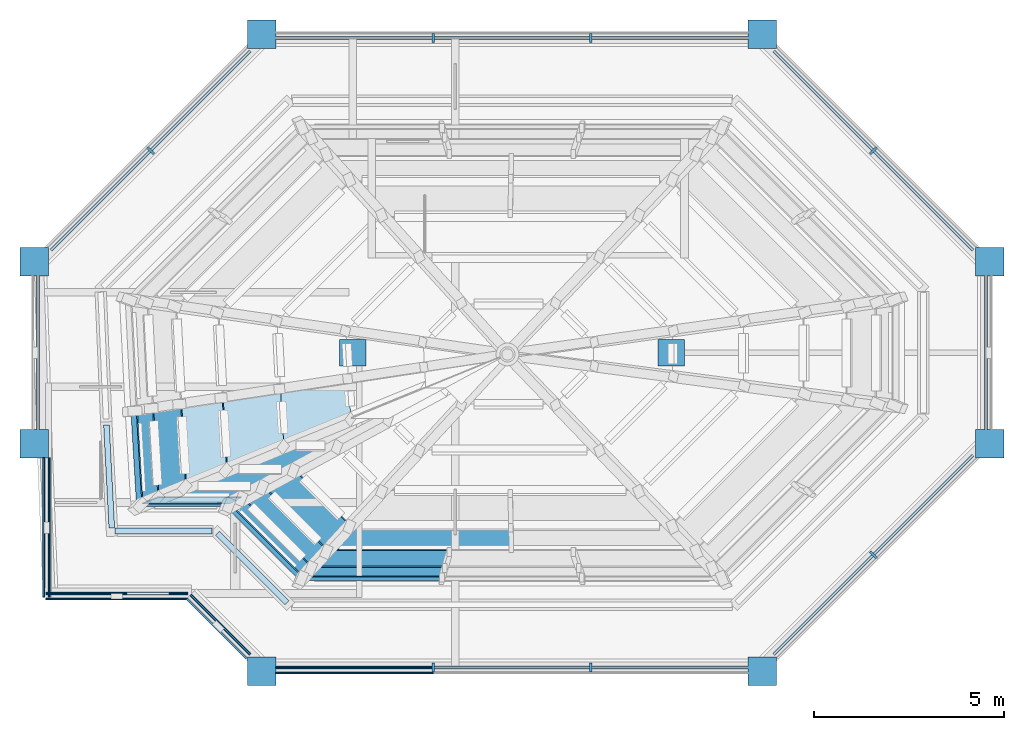
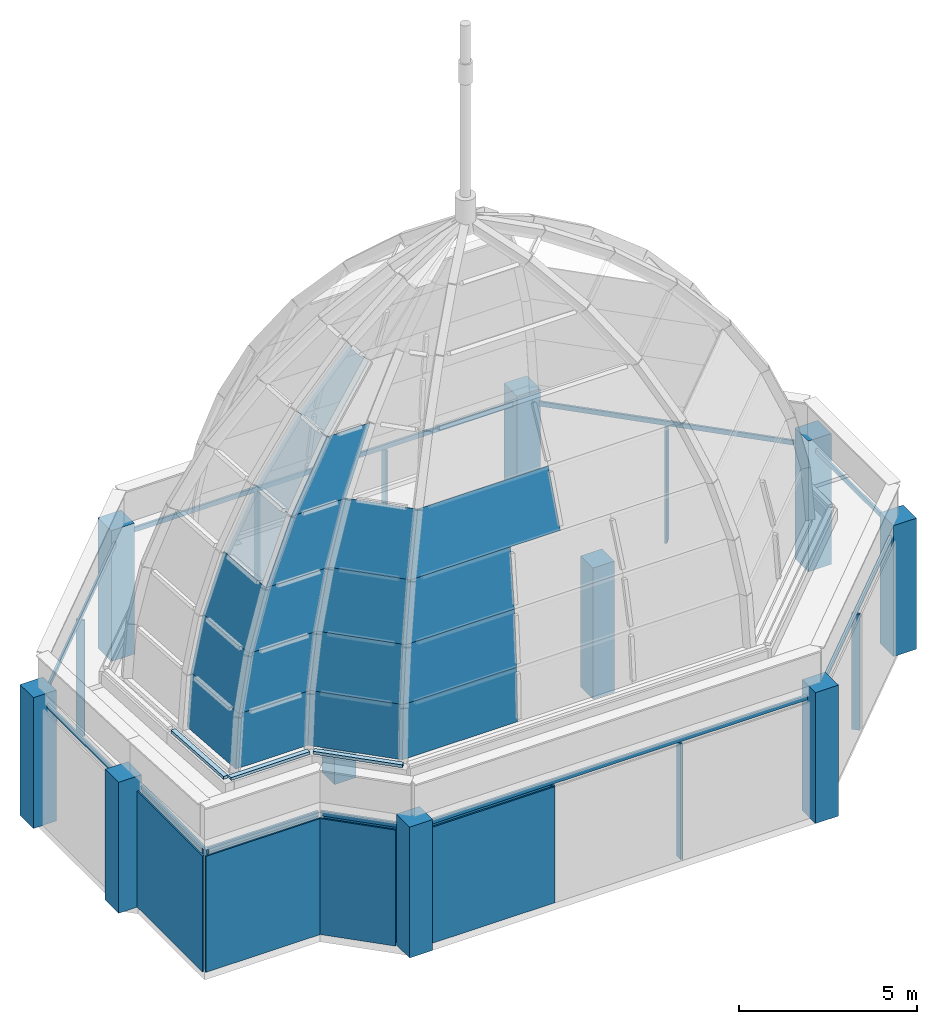
# One storey, part 1 of 9: 30 plates, 17 members, 10 columns, 10 elements without a shape of their own.
"""IFC4 building model written with IfcOpenShell, lengths in metres."""

from ifc_helpers import new_model, si_unit, direction, frame, origin, origin_2d, place, context, subcontext, project, spatial, polyline, rectangle, outline, extrude, material, layer, layer_set, material_profile, profile_set, type_object, element, aggregate, save


model = new_model("IFC4")

# Units and contexts
model_context = context("Model", 3, precision=1e-05, world=origin(), true_north=direction((0.0, 1.0)))
body_context = subcontext(model_context, "Body", "Model", "MODEL_VIEW")
ifc_project = project(units=[si_unit("LENGTHUNIT", "METRE"), si_unit("AREAUNIT", "SQUARE_METRE"), si_unit("VOLUMEUNIT", "CUBIC_METRE"), si_unit("PLANEANGLEUNIT", "RADIAN"), si_unit("MASSUNIT", "GRAM", prefix="KILO")], contexts=[model_context])

# Site, building, storey
site_placement = place(None, origin())
site = spatial("IfcSite", under=ifc_project, at=site_placement, CompositionType="ELEMENT")
building_placement = place(site_placement, origin())
building = spatial("IfcBuilding", under=site, at=building_placement, Name="Kawkab Arch Medical Tower", CompositionType="ELEMENT")
storey_placement = place(building_placement, frame((0.0, 0.0, 359.199951171875)))
storey = spatial("IfcBuildingStorey", under=building, at=storey_placement, Name="L83", CompositionType="ELEMENT", Elevation=359.199951171875)

# Columns
ifc_material_1 = material(Name="Concrete C40/50", Category="concrete")
ifc_material_profile_1 = material_profile(ifc_material_1, rectangle(XDim=0.699951171875, YDim=0.699951171875, at=origin_2d()), Name="RC 700x700")
ifc_profile_set_1 = profile_set([ifc_material_profile_1], Name="Concrete C40/50")
column_type_1 = type_object("IfcColumnType", Name="RC 700x700 column C40/50", PredefinedType="COLUMN", material=ifc_profile_set_1)
for number, where, z_axis, x_axis, name in (
    (1, (8.39990234375, -33.60009765625, 0.0), (0.0, 0.0, 1.0), (1.0, 0.0, 0.0), "Column RC 700x700"),
    (2, (16.800048828125, -33.60009765625, 0.0), (0.0, 0.0, 1.0), (1.0, 0.0, 0.0), "Column RC 700x700"),
):
    element("IfcColumn", number, at=place(storey_placement, frame(where, z_axis=z_axis, x_axis=x_axis)), inside=storey, type_object=column_type_1, Name=name, PredefinedType="COLUMN", context=body_context, shape_type="SweptSolid", body=[
        extrude(rectangle(XDim=0.699951171875, YDim=0.699951171875, at=origin_2d()), origin(), (0.0, 0.0, 1.0), 4.5),
    ])
ifc_material_2 = material(Name="Concrete C40/50", Category="concrete")
ifc_material_profile_2 = material_profile(ifc_material_2, rectangle(XDim=0.75, YDim=0.75, at=origin_2d()), Name="RC 750x750")
ifc_profile_set_2 = profile_set([ifc_material_profile_2], Name="Concrete C40/50")
column_type_2 = type_object("IfcColumnType", Name="RC 750x750 column C40/50", PredefinedType="COLUMN", material=ifc_profile_set_2)
for number, where, z_axis, x_axis, name in (
    (3, (6.0, -25.199951171875, 0.0), (0.0, 0.0, 1.0), (1.0, 0.0, 0.0), "Column RC 750x750"),
    (4, (19.199951171875, -25.199951171875, 0.0), (0.0, 0.0, 1.0), (1.0, 0.0, 0.0), "Column RC 750x750"),
    (5, (0.0, -31.199951171875, 0.0), (0.0, 0.0, 1.0), (1.0, 0.0, 0.0), "Column RC 750x750"),
    (6, (25.199951171875, -31.199951171875, 0.0), (0.0, 0.0, 1.0), (1.0, 0.0, 0.0), "Column RC 750x750"),
    (7, (0.0, -36.0, 0.0), (0.0, 0.0, 1.0), (1.0, 0.0, 0.0), "Column RC 750x750"),
    (8, (25.199951171875, -36.0, 0.0), (0.0, 0.0, 1.0), (1.0, 0.0, 0.0), "Column RC 750x750"),
    (9, (6.0, -42.0, 0.0), (0.0, 0.0, 1.0), (1.0, 0.0, 0.0), "Column RC 750x750"),
    (10, (19.199951171875, -42.0, 0.0), (0.0, 0.0, 1.0), (1.0, 0.0, 0.0), "Column RC 750x750"),
):
    element("IfcColumn", number, at=place(storey_placement, frame(where, z_axis=z_axis, x_axis=x_axis)), inside=storey, type_object=column_type_2, Name=name, PredefinedType="COLUMN", context=body_context, shape_type="SweptSolid", body=[
        extrude(rectangle(XDim=0.75, YDim=0.75, at=origin_2d()), origin(), (0.0, 0.0, 1.0), 4.5),
    ])

# Curtain wall, members
ifc_material_3 = material(Name="Bronze anodised aluminium curtain wall frame", Category="aluminium")
ifc_layer_1 = layer(ifc_material_3, 0.159912109375)
ifc_layer_set_1 = layer_set([ifc_layer_1], Name="Bronze anodised aluminium curtain wall frame")
curtain_wall_type = type_object("IfcCurtainWallType", Name="CW6 helipad lobby and crown glazing", PredefinedType="NOTDEFINED", material=ifc_layer_set_1)
placement = place(storey_placement, origin())
curtain_wall_1 = element("IfcCurtainWall", 11, at=placement, inside=storey, type_object=curtain_wall_type, Name="CW6 Helipad lobby and crown glazing R06", PredefinedType="NOTDEFINED")
ifc_material_4 = material(Name="Bronze anodised aluminium curtain wall frame", Category="aluminium")
ifc_material_profile_3 = material_profile(ifc_material_4, rectangle(XDim=0.239990234375, YDim=0.070068359375, at=origin_2d()), Name="AL 70x240")
ifc_profile_set_3 = profile_set([ifc_material_profile_3], Name="Bronze anodised aluminium curtain wall frame")
member_type_1 = type_object("IfcMemberType", Name="CW6 mullion 70 x 240", PredefinedType="MULLION", material=ifc_profile_set_3)
member_1_placement = place(storey_placement, frame((10.52490234375, -41.89990234375, 0.0), z_axis=(0.0, 0.0, 1.0), x_axis=(0.0, 1.0, 0.0)))
member_1 = element("IfcMember", 12, at=member_1_placement, type_object=member_type_1, Name="CW6 mullion 1.1", PredefinedType="MULLION", context=body_context, shape_type="SweptSolid", body=[
    extrude(rectangle(XDim=0.239990234375, YDim=0.070068359375, at=origin_2d()), origin(), (0.0, 0.0, 1.0), 3.989990234375),
])
member_2_placement = place(storey_placement, frame((14.675048828125, -41.89990234375, 0.0), z_axis=(0.0, 0.0, 1.0), x_axis=(0.0, 1.0, 0.0)))
member_2 = element("IfcMember", 13, at=member_2_placement, type_object=member_type_1, Name="CW6 mullion 1.2", PredefinedType="MULLION", context=body_context, shape_type="SweptSolid", body=[
    extrude(rectangle(XDim=0.239990234375, YDim=0.070068359375, at=origin_2d()), origin(), (0.0, 0.0, 1.0), 3.989990234375),
])

# Curtain wall, member
curtain_wall_2 = element("IfcCurtainWall", 14, at=placement, inside=storey, type_object=curtain_wall_type, Name="CW6 Helipad lobby and crown glazing R07", PredefinedType="NOTDEFINED")
member_3_placement = place(storey_placement, frame((22.12939453125, -38.92919921875, 0.0), z_axis=(0.0, 0.0, 1.0), x_axis=(-0.707106781187, 0.707106781187, 0.0)))
member_3 = element("IfcMember", 15, at=member_3_placement, type_object=member_type_1, Name="CW6 mullion 1.1", PredefinedType="MULLION", context=body_context, shape_type="SweptSolid", body=[
    extrude(rectangle(XDim=0.239990234375, YDim=0.070068359375, at=origin_2d()), origin(), (0.0, 0.0, 1.0), 3.989990234375),
])

curtain_wall_3 = element("IfcCurtainWall", 16, at=placement, inside=storey, type_object=curtain_wall_type, Name="CW6 Helipad lobby and crown glazing R09", PredefinedType="NOTDEFINED")
member_4_placement = place(storey_placement, frame((22.12939453125, -28.270751953125, 0.0), z_axis=(0.0, 0.0, 1.0), x_axis=(-0.707106781187, -0.707106781187, 0.0)))
member_4 = element("IfcMember", 17, at=member_4_placement, type_object=member_type_1, Name="CW6 mullion 1.1", PredefinedType="MULLION", context=body_context, shape_type="SweptSolid", body=[
    extrude(rectangle(XDim=0.239990234375, YDim=0.070068359375, at=origin_2d()), origin(), (0.0, 0.0, 1.0), 3.989990234375),
])

# Curtain wall, members
curtain_wall_4 = element("IfcCurtainWall", 18, at=placement, inside=storey, type_object=curtain_wall_type, Name="CW6 Helipad lobby and crown glazing R10", PredefinedType="NOTDEFINED")
member_5_placement = place(storey_placement, frame((14.675048828125, -25.300048828125, 0.0), z_axis=(0.0, 0.0, 1.0), x_axis=(0.0, -1.0, 0.0)))
member_5 = element("IfcMember", 19, at=member_5_placement, type_object=member_type_1, Name="CW6 mullion 1.1", PredefinedType="MULLION", context=body_context, shape_type="SweptSolid", body=[
    extrude(rectangle(XDim=0.239990234375, YDim=0.070068359375, at=origin_2d()), origin(), (0.0, 0.0, 1.0), 3.989990234375),
])
member_6_placement = place(storey_placement, frame((10.52490234375, -25.300048828125, 0.0), z_axis=(0.0, 0.0, 1.0), x_axis=(0.0, -1.0, 0.0)))
member_6 = element("IfcMember", 20, at=member_6_placement, type_object=member_type_1, Name="CW6 mullion 1.2", PredefinedType="MULLION", context=body_context, shape_type="SweptSolid", body=[
    extrude(rectangle(XDim=0.239990234375, YDim=0.070068359375, at=origin_2d()), origin(), (0.0, 0.0, 1.0), 3.989990234375),
])

# Curtain wall, member
curtain_wall_5 = element("IfcCurtainWall", 21, at=placement, inside=storey, type_object=curtain_wall_type, Name="CW6 Helipad lobby and crown glazing R11", PredefinedType="NOTDEFINED")
member_7_placement = place(storey_placement, frame((3.07080078125, -28.270751953125, 0.0), z_axis=(0.0, 0.0, 1.0), x_axis=(0.707106781187, -0.707106781187, 0.0)))
member_7 = element("IfcMember", 22, at=member_7_placement, type_object=member_type_1, Name="CW6 mullion 1.1", PredefinedType="MULLION", context=body_context, shape_type="SweptSolid", body=[
    extrude(rectangle(XDim=0.239990234375, YDim=0.070068359375, at=origin_2d()), origin(), (0.0, 0.0, 1.0), 3.989990234375),
])

curtain_wall_6 = element("IfcCurtainWall", 23, at=placement, inside=storey, type_object=curtain_wall_type, Name="CW6 Helipad lobby and crown glazing R01", PredefinedType="NOTDEFINED")
ifc_material_5 = material(Name="Bronze anodised aluminium curtain wall frame", Category="aluminium")
ifc_material_profile_4 = material_profile(ifc_material_5, rectangle(XDim=0.070068359375, YDim=0.159912109375, at=origin_2d()), Name="AL 70x160")
ifc_profile_set_4 = profile_set([ifc_material_profile_4], Name="Bronze anodised aluminium curtain wall frame")
member_type_2 = type_object("IfcMemberType", Name="CW6 transom 160 x 70", PredefinedType="USERDEFINED", material=ifc_profile_set_4)
member_8_placement = place(storey_placement, frame((0.10009765625, -31.574951171875, 4.070068359375), z_axis=(0.0, -1.0, 0.0), x_axis=(1.0, 0.0, 0.0)))
member_8 = element("IfcMember", 24, at=member_8_placement, type_object=member_type_2, Name="CW6 transom 1", ObjectType="TRANSOM", PredefinedType="USERDEFINED", context=body_context, shape_type="SweptSolid", body=[
    extrude(rectangle(XDim=0.070068359375, YDim=0.159912109375, at=origin_2d()), origin(), (0.0, 0.0, 1.0), 4.050048828125),
])
aggregate(curtain_wall_6, [member_8])

curtain_wall_7 = element("IfcCurtainWall", 25, at=placement, inside=storey, type_object=curtain_wall_type, Name="CW6 Helipad lobby and crown glazing R03", PredefinedType="NOTDEFINED")
member_9_placement = place(storey_placement, frame((0.39990234375, -36.375, 4.070068359375), z_axis=(0.0, -1.0, 0.0), x_axis=(1.0, 0.0, 0.0)))
member_9 = element("IfcMember", 26, at=member_9_placement, type_object=member_type_2, Name="CW6 transom 1", ObjectType="TRANSOM", PredefinedType="USERDEFINED", context=body_context, shape_type="SweptSolid", body=[
    extrude(rectangle(XDim=0.070068359375, YDim=0.159912109375, at=origin_2d()), origin(), (0.0, 0.0, 1.0), 3.675048828125),
])

curtain_wall_8 = element("IfcCurtainWall", 27, at=placement, inside=storey, type_object=curtain_wall_type, Name="CW6 Helipad lobby and crown glazing R04", PredefinedType="NOTDEFINED")
member_10_placement = place(storey_placement, frame((0.300048828125, -39.949951171875, 4.070068359375), z_axis=(1.0, 0.0, 0.0), x_axis=(0.0, 1.0, 0.0)))
member_10 = element("IfcMember", 28, at=member_10_placement, type_object=member_type_2, Name="CW6 transom 1", ObjectType="TRANSOM", PredefinedType="USERDEFINED", context=body_context, shape_type="SweptSolid", body=[
    extrude(rectangle(XDim=0.070068359375, YDim=0.159912109375, at=origin_2d()), origin(), (0.0, 0.0, 1.0), 3.75),
])

curtain_wall_9 = element("IfcCurtainWall", 29, at=placement, inside=storey, type_object=curtain_wall_type, Name="CW6 Helipad lobby and crown glazing R05", PredefinedType="NOTDEFINED")
member_11_placement = place(storey_placement, frame((4.12060546875, -39.979248046875, 4.070068359375), z_axis=(0.707161580797, -0.707051977329, 0.0), x_axis=(0.707051977329, 0.707161580797, 0.0)))
member_11 = element("IfcMember", 30, at=member_11_placement, type_object=member_type_2, Name="CW6 transom 1", ObjectType="TRANSOM", PredefinedType="USERDEFINED", context=body_context, shape_type="SweptSolid", body=[
    extrude(rectangle(XDim=0.070068359375, YDim=0.159912109375, at=origin_2d()), origin(), (0.0, 0.0, 1.0), 2.2275390625),
])

# Member
member_12_placement = place(storey_placement, frame((6.375, -41.89990234375, 4.070068359375), z_axis=(1.0, 0.0, 0.0), x_axis=(0.0, 1.0, 0.0)))
member_12 = element("IfcMember", 31, at=member_12_placement, type_object=member_type_2, Name="CW6 transom 1", ObjectType="TRANSOM", PredefinedType="USERDEFINED", context=body_context, shape_type="SweptSolid", body=[
    extrude(rectangle(XDim=0.070068359375, YDim=0.159912109375, at=origin_2d()), origin(), (0.0, 0.0, 1.0), 12.449951171875),
])

member_13_placement = place(storey_placement, frame((19.50439453125, -41.55419921875, 4.070068359375), z_axis=(0.707106781187, 0.707106781187, 0.0), x_axis=(-0.707106781187, 0.707106781187, 0.0)))
member_13 = element("IfcMember", 32, at=member_13_placement, type_object=member_type_2, Name="CW6 transom 1", ObjectType="TRANSOM", PredefinedType="USERDEFINED", context=body_context, shape_type="SweptSolid", body=[
    extrude(rectangle(XDim=0.070068359375, YDim=0.159912109375, at=origin_2d()), origin(), (0.0, 0.0, 1.0), 7.424560546875),
])

aggregate(curtain_wall_2, [member_13, member_3])

# Curtain wall, member
curtain_wall_10 = element("IfcCurtainWall", 33, at=placement, inside=storey, type_object=curtain_wall_type, Name="CW6 Helipad lobby and crown glazing R08", PredefinedType="NOTDEFINED")
member_14_placement = place(storey_placement, frame((25.10009765625, -35.625, 4.070068359375), z_axis=(0.0, 1.0, 0.0), x_axis=(-1.0, 0.0, 0.0)))
member_14 = element("IfcMember", 34, at=member_14_placement, type_object=member_type_2, Name="CW6 transom 1", ObjectType="TRANSOM", PredefinedType="USERDEFINED", context=body_context, shape_type="SweptSolid", body=[
    extrude(rectangle(XDim=0.070068359375, YDim=0.159912109375, at=origin_2d()), origin(), (0.0, 0.0, 1.0), 4.050048828125),
])
aggregate(curtain_wall_10, [member_14])

# Member
member_15_placement = place(storey_placement, frame((24.75439453125, -30.895751953125, 4.070068359375), z_axis=(-0.707123221898, 0.707090340093, 0.0), x_axis=(-0.707090340093, -0.707123221898, 0.0)))
member_15 = element("IfcMember", 35, at=member_15_placement, type_object=member_type_2, Name="CW6 transom 1", ObjectType="TRANSOM", PredefinedType="USERDEFINED", context=body_context, shape_type="SweptSolid", body=[
    extrude(rectangle(XDim=0.070068359375, YDim=0.159912109375, at=origin_2d()), origin(), (0.0, 0.0, 1.0), 7.4248046875),
])

aggregate(curtain_wall_3, [member_15, member_4])

member_16_placement = place(storey_placement, frame((18.824951171875, -25.300048828125, 4.070068359375), z_axis=(-1.0, 0.0, 0.0), x_axis=(0.0, -1.0, 0.0)))
member_16 = element("IfcMember", 36, at=member_16_placement, type_object=member_type_2, Name="CW6 transom 1", ObjectType="TRANSOM", PredefinedType="USERDEFINED", context=body_context, shape_type="SweptSolid", body=[
    extrude(rectangle(XDim=0.070068359375, YDim=0.159912109375, at=origin_2d()), origin(), (0.0, 0.0, 1.0), 12.449951171875),
])

aggregate(curtain_wall_4, [member_16, member_5, member_6])

member_17_placement = place(storey_placement, frame((5.69580078125, -25.645751953125, 4.070068359375), z_axis=(-0.707123221898, -0.707090340093, 0.0), x_axis=(0.707090340093, -0.707123221898, 0.0)))
member_17 = element("IfcMember", 37, at=member_17_placement, type_object=member_type_2, Name="CW6 transom 1", ObjectType="TRANSOM", PredefinedType="USERDEFINED", context=body_context, shape_type="SweptSolid", body=[
    extrude(rectangle(XDim=0.070068359375, YDim=0.159912109375, at=origin_2d()), origin(), (0.0, 0.0, 1.0), 7.4248046875),
])

aggregate(curtain_wall_5, [member_17, member_7])

# Plates
ifc_material_6 = material(Name="Steel S355", Category="steel")
ifc_layer_2 = layer(ifc_material_6, 0.10009765625)
ifc_layer_set_2 = layer_set([ifc_layer_2], Name="Steel S355")
plate_type_1 = type_object("IfcPlateType", Name="BMU rail 150 x 100", PredefinedType="USERDEFINED", material=ifc_layer_set_2)
plate_1_placement = place(storey_placement, frame((5.75, -39.27490234375, 4.89990234375), z_axis=(0.0, 0.0, 1.0), x_axis=(-0.707106781187, 0.707106781187, 0.0)))
element("IfcPlate", 38, at=plate_1_placement, inside=storey, type_object=plate_type_1, Name="BMU rail 7", ObjectType="BMU RAIL", PredefinedType="USERDEFINED", context=body_context, shape_type="SweptSolid", body=[
    extrude(rectangle(XDim=2.59765625, YDim=0.14990234375, at=origin_2d()), origin(), (0.0, 0.0, 1.0), 0.10009765625),
])
plate_2_placement = place(storey_placement, frame((3.412353515625, -38.300048828125, 4.89990234375), z_axis=(0.0, 0.0, 1.0), x_axis=(-1.0, 0.0, 0.0)))
element("IfcPlate", 39, at=plate_2_placement, inside=storey, type_object=plate_type_1, Name="BMU rail 8", ObjectType="BMU RAIL", PredefinedType="USERDEFINED", context=body_context, shape_type="SweptSolid", body=[
    extrude(rectangle(XDim=2.56494140625, YDim=0.14990234375, at=origin_2d()), origin(), (0.0, 0.0, 1.0), 0.10009765625),
])
plate_3_placement = place(storey_placement, frame((1.97509765625, -36.862548828125, 4.89990234375), z_axis=(0.0, 0.0, 1.0), x_axis=(-0.052105328126, 0.998641594758, 0.0)))
element("IfcPlate", 40, at=plate_3_placement, inside=storey, type_object=plate_type_1, Name="BMU rail 9", ObjectType="BMU RAIL", PredefinedType="USERDEFINED", context=body_context, shape_type="SweptSolid", body=[
    extrude(rectangle(XDim=2.71875, YDim=0.14990234375, at=origin_2d()), origin(), (0.0, 0.0, 1.0), 0.10009765625),
])

# Plate
ifc_material_7 = material(Name="Tinted laminated insulating glass, low iron", Category="glass")
ifc_layer_3 = layer(ifc_material_7, 0.0400390625)
ifc_layer_set_3 = layer_set([ifc_layer_3], Name="Tinted laminated insulating glass, low iron")
plate_type_2 = type_object("IfcPlateType", Name="CW6 glazing unit 40", PredefinedType="CURTAIN_PANEL", material=ifc_layer_set_3)
plate_4_placement = place(storey_placement, frame((0.39990234375, -38.21240234375, 0.0), z_axis=(0.0, 0.0, 1.0), x_axis=(0.0, -1.0, 0.0)))
plate_4 = element("IfcPlate", 41, at=plate_4_placement, type_object=plate_type_2, Name="CW6 glazing unit 1.1", PredefinedType="CURTAIN_PANEL", context=body_context, shape_type="SweptSolid", body=[
    extrude(rectangle(XDim=3.675048828125, YDim=0.0400390625, at=origin_2d()), origin(), (0.0, 0.0, 1.0), 3.989990234375),
])

aggregate(curtain_wall_7, [member_9, plate_4])

plate_5_placement = place(storey_placement, frame((2.175048828125, -39.949951171875, 0.0), z_axis=(0.0, 0.0, 1.0), x_axis=(1.0, 0.0, 0.0)))
plate_5 = element("IfcPlate", 42, at=plate_5_placement, type_object=plate_type_2, Name="CW6 glazing unit 1.1", PredefinedType="CURTAIN_PANEL", context=body_context, shape_type="SweptSolid", body=[
    extrude(rectangle(XDim=3.75, YDim=0.0400390625, at=origin_2d()), origin(), (0.0, 0.0, 1.0), 3.989990234375),
])

aggregate(curtain_wall_8, [member_10, plate_5])

plate_6_placement = place(storey_placement, frame((4.908203125, -40.766845703125, 0.0), z_axis=(0.0, 0.0, 1.0), x_axis=(0.707106781187, -0.707106781187, 0.0)))
plate_6 = element("IfcPlate", 43, at=plate_6_placement, type_object=plate_type_2, Name="CW6 glazing unit 1.1", PredefinedType="CURTAIN_PANEL", context=body_context, shape_type="SweptSolid", body=[
    extrude(rectangle(XDim=2.227294921875, YDim=0.0400390625, at=origin_2d()), origin(), (0.0, 0.0, 1.0), 3.989990234375),
])

aggregate(curtain_wall_9, [member_11, plate_6])

plate_7_placement = place(storey_placement, frame((8.4326171875, -41.89990234375, 0.0), z_axis=(0.0, 0.0, 1.0), x_axis=(1.0, 0.0, 0.0)))
plate_7 = element("IfcPlate", 44, at=plate_7_placement, type_object=plate_type_2, Name="CW6 glazing unit 1.1", PredefinedType="CURTAIN_PANEL", context=body_context, shape_type="SweptSolid", body=[
    extrude(rectangle(XDim=4.114990234375, YDim=0.0400390625, at=origin_2d()), origin(), (0.0, 0.0, 1.0), 3.989990234375),
])

aggregate(curtain_wall_1, [member_12, plate_7, member_1, member_2])

# Plates
ifc_material_8 = material(Name="Laminated tinted glass", Category="glass")
ifc_layer_4 = layer(ifc_material_8, 0.031982421875)
ifc_layer_set_4 = layer_set([ifc_layer_4], Name="Laminated tinted glass")
plate_type_3 = type_object("IfcPlateType", Name="Crown glazing panel 32", PredefinedType="USERDEFINED", material=ifc_layer_set_4)
plate_8_placement = place(storey_placement, frame((2.699951171875, -37.64990234375, 4.650146484375), z_axis=(0.0, -0.999515992818, 0.031109164252), x_axis=(1.0, 0.0, 0.0)))
element("IfcPlate", 45, at=plate_8_placement, inside=storey, type_object=plate_type_3, Name="Crown glazing, peak B face 1 row 1 bay 1", ObjectType="CROWN GLAZING", PredefinedType="USERDEFINED", context=body_context, shape_type="SweptSolid", body=[
    extrude(outline(polyline([(0.0, 0.0), (2.34423828125, 0.0), (2.449462890625, 1.8207054532651452), (0.138671875, 1.8207054532651452), (0.0, 0.0)])), origin(), (0.0, 0.0, -1.0), 0.031982421875),
])
plate_9_placement = place(storey_placement, frame((5.044189453125, -37.64990234375, 4.650146484375), z_axis=(-0.705708184779, -0.705708184779, 0.062864265454), x_axis=(0.707106606256, -0.707106956106, -3.927382e-06)))
element("IfcPlate", 46, at=plate_9_placement, inside=storey, type_object=plate_type_3, Name="Crown glazing, peak B face 2 row 1 bay 1", ObjectType="CROWN GLAZING", PredefinedType="USERDEFINED", context=body_context, shape_type="SweptSolid", body=[
    extrude(outline(polyline([(0.0, 0.0), (2.757820026743789, -1.3877787807814457e-17), (2.7531517469289835, 1.823441642208215), (0.03434688934944558, 1.823420090784082), (0.0, 0.0)])), origin(), (0.0, 0.0, -1.0), 0.031982421875),
])
plate_10_placement = place(storey_placement, frame((6.994140625, -39.60009765625, 4.650146484375), z_axis=(0.0, -0.998924421015, 0.046368104329), x_axis=(1.0, 0.0, 0.0)))
element("IfcPlate", 47, at=plate_10_placement, inside=storey, type_object=plate_type_3, Name="Crown glazing, peak B face 3 row 1 bay 1", ObjectType="CROWN GLAZING", PredefinedType="USERDEFINED", context=body_context, shape_type="SweptSolid", body=[
    extrude(outline(polyline([(0.0, 0.0), (3.7373046875, 0.0), (3.761962890625, 1.8217836910025784), (0.077880859375, 1.8217836910025784), (0.0, 0.0)])), origin(), (0.0, 0.0, -1.0), 0.031982421875),
])
plate_11_placement = place(storey_placement, frame((2.550048828125, -35.156005859375, 4.650146484375), z_axis=(-0.995180268055, -0.059801081867, 0.07771785304), x_axis=(0.059982607359, -0.998199422366, 1.311064e-06)))
element("IfcPlate", 48, at=plate_11_placement, inside=storey, type_object=plate_type_3, Name="Crown glazing, peak B face 10 row 1 bay 1", ObjectType="CROWN GLAZING", PredefinedType="USERDEFINED", context=body_context, shape_type="SweptSolid", body=[
    extrude(outline(polyline([(0.0, 0.0), (2.4983975635721736, 0.0), (2.4501792109505844, 1.8253419474606838), (-0.012993606457771282, 1.8253484721316866), (0.0, 0.0)])), origin(), (0.0, 0.0, -1.0), 0.031982421875),
])
plate_12_placement = place(storey_placement, frame((2.838623046875, -37.59326171875, 6.469970703125), z_axis=(0.0, -0.99550806716, 0.094676756488), x_axis=(1.0, 0.0, 0.0)))
element("IfcPlate", 49, at=plate_12_placement, inside=storey, type_object=plate_type_3, Name="Crown glazing, peak B face 1 row 2 bay 1", ObjectType="CROWN GLAZING", PredefinedType="USERDEFINED", context=body_context, shape_type="SweptSolid", body=[
    extrude(outline(polyline([(0.0, 0.0), (2.310791015625, 0.0), (2.63232421875, 1.8282808742746128), (0.4228515625, 1.8282808742746128), (0.0, 0.0)])), origin(), (0.0, 0.0, -1.0), 0.031982421875),
])
plate_13_placement = place(storey_placement, frame((5.1494140625, -37.59326171875, 6.469970703125), z_axis=(-0.694356767966, -0.69444693246, 0.188711782292), x_axis=(0.707152650863, -0.707060908534, -2.64328e-07)))
element("IfcPlate", 50, at=plate_13_placement, inside=storey, type_object=plate_type_3, Name="Crown glazing, peak B face 2 row 2 bay 1", ObjectType="CROWN GLAZING", PredefinedType="USERDEFINED", context=body_context, shape_type="SweptSolid", body=[
    extrude(outline(polyline([(0.0, 0.0), (2.7188048631214046, -5.551115123125783e-17), (2.7043258579753764, 1.853369459613837), (0.10498337072102999, 1.8533680281605467), (0.0, 0.0)])), origin(), (0.0, 0.0, -1.0), 0.031982421875),
])
plate_14_placement = place(storey_placement, frame((7.072021484375, -39.515625, 6.469970703125), z_axis=(0.0, -0.990134578765, 0.140119648638), x_axis=(1.0, 0.0, 0.0)))
element("IfcPlate", 51, at=plate_14_placement, inside=storey, type_object=plate_type_3, Name="Crown glazing, peak B face 3 row 2 bay 1", ObjectType="CROWN GLAZING", PredefinedType="USERDEFINED", context=body_context, shape_type="SweptSolid", body=[
    extrude(outline(polyline([(0.0, 0.0), (3.68408203125, 0.0), (3.759765625, 1.8382030063486279), (0.237060546875, 1.8382030063486279), (0.0, 0.0)])), origin(), (0.0, 0.0, -1.0), 0.031982421875),
])
plate_15_placement = place(storey_placement, frame((2.69091796875, -35.134521484375, 6.469970703125), z_axis=(-0.971166684227, -0.058365633934, 0.231146542744), x_axis=(0.059988904464, -0.998199043934, -5.600569e-06)))
element("IfcPlate", 52, at=plate_15_placement, inside=storey, type_object=plate_type_3, Name="Crown glazing, peak B face 10 row 2 bay 1", ObjectType="CROWN GLAZING", PredefinedType="USERDEFINED", context=body_context, shape_type="SweptSolid", body=[
    extrude(outline(polyline([(0.0, 0.0), (2.463172817054553, -6.938893903907228e-18), (2.3157450602522966, 1.8707430213980238), (-0.039574853996895476, 1.8707152839353203), (0.0, 0.0)])), origin(), (0.0, 0.0, -1.0), 0.031982421875),
])
plate_16_placement = place(storey_placement, frame((3.261474609375, -37.420166015625, 8.2900390625), z_axis=(0.0, -0.986809298254, 0.161887025052), x_axis=(1.0, 0.0, 0.0)))
element("IfcPlate", 53, at=plate_16_placement, inside=storey, type_object=plate_type_3, Name="Crown glazing, peak B face 1 row 3 bay 1", ObjectType="CROWN GLAZING", PredefinedType="USERDEFINED", context=body_context, shape_type="SweptSolid", body=[
    extrude(outline(polyline([(0.0, 0.0), (2.20947265625, 0.0), (2.763916015625, 1.8443972534471134), (0.72900390625, 1.8443972534471134), (0.0, 0.0)])), origin(), (0.0, 0.0, -1.0), 0.031982421875),
])
plate_17_placement = place(storey_placement, frame((5.470947265625, -37.420166015625, 8.2900390625), z_axis=(-0.671194087022, -0.671240501107, 0.314538848508), x_axis=(0.707133455982, -0.707080105321, 9.506526e-06)))
element("IfcPlate", 54, at=plate_17_placement, inside=storey, type_object=plate_type_3, Name="Crown glazing, peak B face 2 row 3 bay 1", ObjectType="CROWN GLAZING", PredefinedType="USERDEFINED", context=body_context, shape_type="SweptSolid", body=[
    extrude(outline(polyline([(0.0, 0.0), (2.5993424860703174, 5.551115123125783e-17), (2.5746959476050475, 1.9173602682397255), (0.18095995626890765, 1.9174102730854186), (0.0, 0.0)])), origin(), (0.0, 0.0, -1.0), 0.031982421875),
])
plate_18_placement = place(storey_placement, frame((7.30908203125, -39.258056640625, 8.2900390625), z_axis=(0.0, -0.971529118743, 0.23692017946), x_axis=(1.0, 0.0, 0.0)))
element("IfcPlate", 55, at=plate_18_placement, inside=storey, type_object=plate_type_3, Name="Crown glazing, peak B face 3 row 3 bay 1", ObjectType="CROWN GLAZING", PredefinedType="USERDEFINED", context=body_context, shape_type="SweptSolid", body=[
    extrude(outline(polyline([(0.0, 0.0), (3.522705078125, 0.0), (3.653076171875, 1.8734058756064107), (0.408935546875, 1.8734058756064107), (0.0, 0.0)])), origin(), (0.0, 0.0, -1.0), 0.031982421875),
])
plate_19_placement = place(storey_placement, frame((3.1201171875, -35.069091796875, 8.2900390625), z_axis=(-0.923690979831, -0.055527320228, 0.379093247746), x_axis=(0.060007710312, -0.998197913588, 3.496599e-06)))
element("IfcPlate", 56, at=plate_19_placement, inside=storey, type_object=plate_type_3, Name="Crown glazing, peak B face 10 row 3 bay 1", ObjectType="CROWN GLAZING", PredefinedType="USERDEFINED", context=body_context, shape_type="SweptSolid", body=[
    extrude(outline(polyline([(0.0, 0.0), (2.355319915068464, 6.938893903907228e-18), (2.101026224106297, 1.9668712825489871), (-0.06791987142403287, 1.966888378133275), (0.0, 0.0)])), origin(), (0.0, 0.0, -1.0), 0.031982421875),
])
plate_20_placement = place(storey_placement, frame((3.990478515625, -37.12158203125, 10.110107421875), z_axis=(0.0, -0.971731490821, 0.236088775138), x_axis=(1.0, 0.0, 0.0)))
element("IfcPlate", 57, at=plate_20_placement, inside=storey, type_object=plate_type_3, Name="Crown glazing, peak B face 1 row 4 bay 1", ObjectType="CROWN GLAZING", PredefinedType="USERDEFINED", context=body_context, shape_type="SweptSolid", body=[
    extrude(outline(polyline([(0.0, 0.0), (2.034912109375, 0.0), (2.855712890625, 1.8727644786028055), (1.079833984375, 1.8727644786028055), (0.0, 0.0)])), origin(), (0.0, 0.0, -1.0), 0.031982421875),
])
plate_21_placement = place(storey_placement, frame((6.025390625, -37.12158203125, 10.110107421875), z_axis=(-0.634757362557, -0.634806250216, 0.44057248594), x_axis=(0.707128724406, -0.707084837122, -1.523006e-05)))
element("IfcPlate", 58, at=plate_21_placement, inside=storey, type_object=plate_type_3, Name="Crown glazing, peak B face 2 row 4 bay 1", ObjectType="CROWN GLAZING", PredefinedType="USERDEFINED", context=body_context, shape_type="SweptSolid", body=[
    extrude(outline(polyline([(0.0, 0.0), (2.3937359917173646, 1.1102230246251565e-16), (2.3571376943578835, 2.0272090608195996), (0.2677545426169299, 2.0271330032530472), (0.0, 0.0)])), origin(), (0.0, 0.0, -1.0), 0.031982421875),
])
plate_22_placement = place(storey_placement, frame((7.718017578125, -38.814208984375, 10.110107421875), z_axis=(0.0, -0.940502385695, 0.339787084072), x_axis=(1.0, 0.0, 0.0)))
element("IfcPlate", 59, at=plate_22_placement, inside=storey, type_object=plate_type_3, Name="Crown glazing, peak B face 3 row 4 bay 1", ObjectType="CROWN GLAZING", PredefinedType="USERDEFINED", context=body_context, shape_type="SweptSolid", body=[
    extrude(outline(polyline([(0.0, 0.0), (4.865966796875, 0.0), (4.852783203125, 1.9349490723573914), (0.605712890625, 1.9349490723573914), (0.0, 0.0)])), origin(), (0.0, 0.0, -1.0), 0.031982421875),
])
plate_23_placement = place(storey_placement, frame((3.8603515625, -34.95654296875, 10.110107421875), z_axis=(-0.853343272652, -0.051278696177, 0.518821505278), x_axis=(0.05998659216, -0.998199182895, 5.401174e-06)))
element("IfcPlate", 60, at=plate_23_placement, inside=storey, type_object=plate_type_3, Name="Crown glazing, peak B face 10 row 4 bay 1", ObjectType="CROWN GLAZING", PredefinedType="USERDEFINED", context=body_context, shape_type="SweptSolid", body=[
    extrude(outline(polyline([(0.0, 0.0), (2.1689460955889683, 0.0), (1.7923890246064953, 2.1287303722902253), (-0.10066650297167692, 2.1287560361409112), (0.0, 0.0)])), origin(), (0.0, 0.0, -1.0), 0.031982421875),
])
plate_24_placement = place(storey_placement, frame((5.0703125, -36.679443359375, 11.929931640625), z_axis=(0.0, -0.946606215543, 0.322392110163), x_axis=(1.0, 0.0, 0.0)))
element("IfcPlate", 61, at=plate_24_placement, inside=storey, type_object=plate_type_3, Name="Crown glazing, peak B face 1 row 5 bay 1", ObjectType="CROWN GLAZING", PredefinedType="USERDEFINED", context=body_context, shape_type="SweptSolid", body=[
    extrude(outline(polyline([(0.0, 0.0), (1.77587890625, 0.0), (2.9267578125, 1.9227302013127323), (1.513671875, 1.9227302013127323), (0.0, 0.0)])), origin(), (0.0, 0.0, -1.0), 0.031982421875),
])
plate_25_placement = place(storey_placement, frame((4.956787109375, -34.789794921875, 11.929931640625), z_axis=(-0.760365436585, -0.045734621554, 0.647883282111), x_axis=(0.060010190762, -0.998197763871, -3.476254e-05)))
element("IfcPlate", 62, at=plate_25_placement, inside=storey, type_object=plate_type_3, Name="Crown glazing, peak B face 10 row 5 bay 1", ObjectType="CROWN GLAZING", PredefinedType="USERDEFINED", context=body_context, shape_type="SweptSolid", body=[
    extrude(outline(polyline([(0.0, 0.0), (1.8930555251618175, -1.3877787807814457e-17), (1.3650721036582383, 2.3894199020905527), (-0.1413155448895529, 2.389264766035484), (0.0, 0.0)])), origin(), (0.0, 0.0, -1.0), 0.031982421875),
])
plate_26_placement = place(storey_placement, frame((6.493408203125, -34.555908203125, 13.75), z_axis=(-0.652332927198, -0.039306921033, 0.756912622468), x_axis=(0.060136077829, -0.998190188319, -9.299922e-06)))
element("IfcPlate", 63, at=plate_26_placement, inside=storey, type_object=plate_type_3, Name="Crown glazing, peak B face 10 row 6 bay 1", ObjectType="CROWN GLAZING", PredefinedType="USERDEFINED", context=body_context, shape_type="SweptSolid", body=[
    extrude(outline(polyline([(0.0, 0.0), (1.506387659846907, 0.0), (0.8905301658724681, 2.387189689557725), (-0.16435988843821137, 2.387153241055998), (0.0, 0.0)])), origin(), (0.0, 0.0, -1.0), 0.031982421875),
])
ifc_material_9 = material(Name="Bronze anodised aluminium perforated screen", Category="aluminium")
ifc_layer_5 = layer(ifc_material_9, 0.050048828125)
ifc_layer_set_5 = layer_set([ifc_layer_5], Name="Bronze anodised aluminium perforated screen")
plate_type_4 = type_object("IfcPlateType", Name="Crown perforated star screen 50", PredefinedType="USERDEFINED", material=ifc_layer_set_5)
plate_27_placement = place(storey_placement, frame((0.2548828125, -38.21240234375, 0.0), z_axis=(0.0, 0.0, 1.0), x_axis=(0.0, -1.0, 0.0)))
element("IfcPlate", 64, at=plate_27_placement, inside=storey, type_object=plate_type_4, Name="Crown screen L83 R03.1.1", ObjectType="SCREEN", PredefinedType="USERDEFINED", context=body_context, shape_type="SweptSolid", body=[
    extrude(rectangle(XDim=3.675048828125, YDim=0.050048828125, at=origin_2d()), origin(), (0.0, 0.0, 1.0), 3.989990234375),
])
plate_28_placement = place(storey_placement, frame((2.175048828125, -40.094970703125, 0.0), z_axis=(0.0, 0.0, 1.0), x_axis=(1.0, 0.0, 0.0)))
element("IfcPlate", 65, at=plate_28_placement, inside=storey, type_object=plate_type_4, Name="Crown screen L83 R04.1.1", ObjectType="SCREEN", PredefinedType="USERDEFINED", context=body_context, shape_type="SweptSolid", body=[
    extrude(rectangle(XDim=3.75, YDim=0.050048828125, at=origin_2d()), origin(), (0.0, 0.0, 1.0), 3.989990234375),
])
plate_29_placement = place(storey_placement, frame((4.8056640625, -40.869384765625, 0.0), z_axis=(0.0, 0.0, 1.0), x_axis=(0.707106781187, -0.707106781187, 0.0)))
element("IfcPlate", 66, at=plate_29_placement, inside=storey, type_object=plate_type_4, Name="Crown screen L83 R05.1.1", ObjectType="SCREEN", PredefinedType="USERDEFINED", context=body_context, shape_type="SweptSolid", body=[
    extrude(rectangle(XDim=2.227294921875, YDim=0.050048828125, at=origin_2d()), origin(), (0.0, 0.0, 1.0), 3.989990234375),
])
plate_30_placement = place(storey_placement, frame((8.449951171875, -42.044921875, 0.0), z_axis=(0.0, 0.0, 1.0), x_axis=(1.0, 0.0, 0.0)))
element("IfcPlate", 67, at=plate_30_placement, inside=storey, type_object=plate_type_4, Name="Crown screen L83 R06.1.1", ObjectType="SCREEN", PredefinedType="USERDEFINED", context=body_context, shape_type="SweptSolid", body=[
    extrude(rectangle(XDim=4.14990234375, YDim=0.050048828125, at=origin_2d()), origin(), (0.0, 0.0, 1.0), 3.989990234375),
])

save(model, "model.ifc")
